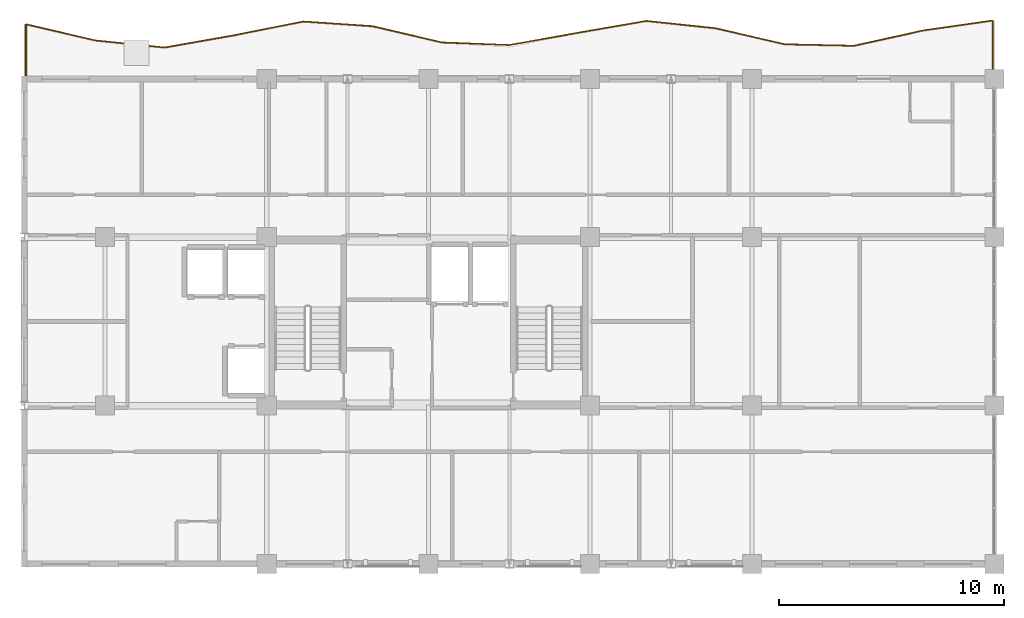
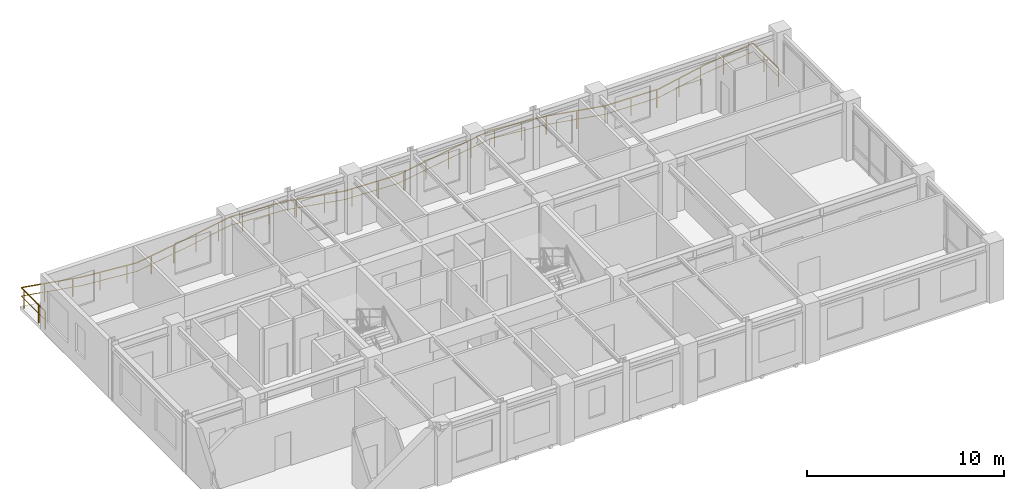
# One storey, part 11 of 11: 1 railing.
"""IFC4 building model written with IfcOpenShell, lengths in metres."""

from ifc_helpers import new_model, si_unit, direction, frame, origin, origin_2d, place, context, subcontext, project, spatial, rectangle, extrude, material, type_object, element, save


model = new_model("IFC4")

# Units and contexts
model_context = context("Model", 3, precision=1e-05, world=origin(), true_north=direction((0.0, 1.0)))
body_context = subcontext(model_context, "Body", "Model", "MODEL_VIEW")
ifc_project = project(units=[si_unit("LENGTHUNIT", "METRE"), si_unit("AREAUNIT", "SQUARE_METRE"), si_unit("VOLUMEUNIT", "CUBIC_METRE"), si_unit("PLANEANGLEUNIT", "RADIAN"), si_unit("MASSUNIT", "GRAM", prefix="KILO")], contexts=[model_context])

# Site, building, storey
site_placement = place(None, origin())
site = spatial("IfcSite", under=ifc_project, at=site_placement, CompositionType="ELEMENT")
building_placement = place(site_placement, origin())
building = spatial("IfcBuilding", under=site, at=building_placement, Name="Kaliganga Portal Commons", CompositionType="ELEMENT")
storey_placement = place(building_placement, frame((0.0, 0.0, 257.300048828125)))
storey = spatial("IfcBuildingStorey", under=building, at=storey_placement, Name="L66", CompositionType="ELEMENT", Elevation=257.300048828125)

# Railing
ifc_material = material(Name="Laminated Safety Glass and Stainless Steel 316", Category="steel")
railing_type = type_object("IfcRailingType", Name="RLG-BAL-1150", PredefinedType="BALUSTRADE", material=ifc_material)
railing_placement = place(storey_placement, frame((46.72021484375, 43.20654296875, 0.0)))
element("IfcRailing", 1, at=railing_placement, inside=storey, type_object=railing_type, Name="Balcony Guardrail L66 balc_north", PredefinedType="BALUSTRADE", context=body_context, shape_type="SweptSolid", body=[
    extrude(rectangle(XDim=0.048095703125, YDim=0.048095703125, at=origin_2d()), frame((0.0, 0.0, 1.1259765625), z_axis=(0.0, 1.0, 0.0), x_axis=(-1.0, 0.0, 0.0)), (0.0, 0.0, 1.0), 2.59033203125),
    extrude(rectangle(XDim=0.028076171875, YDim=0.028076171875, at=origin_2d()), frame((0.0, 0.0, 0.597900390625), z_axis=(0.0, 1.0, 0.0), x_axis=(-1.0, 0.0, 0.0)), (0.0, 0.0, 1.0), 2.59033203125),
    extrude(rectangle(XDim=0.048095703125, YDim=0.048095703125, at=origin_2d()), frame((0.0, 2.59033203125, 1.1259765625), z_axis=(-0.989979233773, -0.141213018868, 0.0), x_axis=(0.141213018868, -0.989979233773, 0.0)), (0.0, 0.0, 1.0), 3.1171875),
    extrude(rectangle(XDim=0.028076171875, YDim=0.028076171875, at=origin_2d()), frame((0.0, 2.59033203125, 0.597900390625), z_axis=(-0.989979233773, -0.141213018868, 0.0), x_axis=(0.141213018868, -0.989979233773, 0.0)), (0.0, 0.0, 1.0), 3.1171875),
    extrude(rectangle(XDim=0.048095703125, YDim=0.048095703125, at=origin_2d()), frame((-3.0859375, 2.150146484375, 1.1259765625), z_axis=(-0.976475232847, -0.215629588961, 0.0), x_axis=(0.215629588961, -0.976475232847, 0.0)), (0.0, 0.0, 1.0), 3.159912109375),
    extrude(rectangle(XDim=0.028076171875, YDim=0.028076171875, at=origin_2d()), frame((-3.0859375, 2.150146484375, 0.597900390625), z_axis=(-0.976475232847, -0.215629588961, 0.0), x_axis=(0.215629588961, -0.976475232847, 0.0)), (0.0, 0.0, 1.0), 3.159912109375),
    extrude(rectangle(XDim=0.048095703125, YDim=0.048095703125, at=origin_2d()), frame((-6.171630859375, 1.46875, 1.1259765625), z_axis=(-0.999771900942, 0.021357576806, 0.0), x_axis=(-0.021357576806, -0.999771900942, 0.0)), (0.0, 0.0, 1.0), 3.08642578125),
    extrude(rectangle(XDim=0.028076171875, YDim=0.028076171875, at=origin_2d()), frame((-6.171630859375, 1.46875, 0.597900390625), z_axis=(-0.999771900942, 0.021357576806, 0.0), x_axis=(-0.021357576806, -0.999771900942, 0.0)), (0.0, 0.0, 1.0), 3.08642578125),
    extrude(rectangle(XDim=0.048095703125, YDim=0.048095703125, at=origin_2d()), frame((-9.25732421875, 1.53466796875, 1.1259765625), z_axis=(-0.974216823664, 0.225613786127, 0.0), x_axis=(-0.225613786127, -0.974216823664, 0.0)), (0.0, 0.0, 1.0), 3.167236328125),
    extrude(rectangle(XDim=0.028076171875, YDim=0.028076171875, at=origin_2d()), frame((-9.25732421875, 1.53466796875, 0.597900390625), z_axis=(-0.974216823664, 0.225613786127, 0.0), x_axis=(-0.225613786127, -0.974216823664, 0.0)), (0.0, 0.0, 1.0), 3.167236328125),
    extrude(rectangle(XDim=0.048095703125, YDim=0.048095703125, at=origin_2d()), frame((-12.343017578125, 2.249267578125, 1.1259765625), z_axis=(-0.994531726725, 0.104434881805, 0.0), x_axis=(-0.104434881805, -0.994531726725, 0.0)), (0.0, 0.0, 1.0), 3.10205078125),
    extrude(rectangle(XDim=0.028076171875, YDim=0.028076171875, at=origin_2d()), frame((-12.343017578125, 2.249267578125, 0.597900390625), z_axis=(-0.994531726725, 0.104434881805, 0.0), x_axis=(-0.104434881805, -0.994531726725, 0.0)), (0.0, 0.0, 1.0), 3.10205078125),
    extrude(rectangle(XDim=0.048095703125, YDim=0.048095703125, at=origin_2d()), frame((-15.42822265625, 2.5732421875, 1.1259765625), z_axis=(-0.985254630733, -0.171094455258, 0.0), x_axis=(0.171094455258, -0.985254630733, 0.0)), (0.0, 0.0, 1.0), 3.132080078125),
    extrude(rectangle(XDim=0.028076171875, YDim=0.028076171875, at=origin_2d()), frame((-15.42822265625, 2.5732421875, 0.597900390625), z_axis=(-0.985254630733, -0.171094455258, 0.0), x_axis=(0.171094455258, -0.985254630733, 0.0)), (0.0, 0.0, 1.0), 3.132080078125),
    extrude(rectangle(XDim=0.048095703125, YDim=0.048095703125, at=origin_2d()), frame((-18.51416015625, 2.037353515625, 1.1259765625), z_axis=(-0.984299351649, -0.176507184962, 0.0), x_axis=(0.176507184962, -0.984299351649, 0.0)), (0.0, 0.0, 1.0), 3.053955078125),
    extrude(rectangle(XDim=0.028076171875, YDim=0.028076171875, at=origin_2d()), frame((-18.51416015625, 2.037353515625, 0.597900390625), z_axis=(-0.984299351649, -0.176507184962, 0.0), x_axis=(0.176507184962, -0.984299351649, 0.0)), (0.0, 0.0, 1.0), 3.053955078125),
    extrude(rectangle(XDim=0.048095703125, YDim=0.048095703125, at=origin_2d()), frame((-21.520263671875, 1.498291015625, 1.1259765625), z_axis=(-0.999218621498, 0.03952399843, 0.0), x_axis=(-0.03952399843, -0.999218621498, 0.0)), (0.0, 0.0, 1.0), 3.00830078125),
    extrude(rectangle(XDim=0.028076171875, YDim=0.028076171875, at=origin_2d()), frame((-21.520263671875, 1.498291015625, 0.597900390625), z_axis=(-0.999218621498, 0.03952399843, 0.0), x_axis=(-0.03952399843, -0.999218621498, 0.0)), (0.0, 0.0, 1.0), 3.00830078125),
    extrude(rectangle(XDim=0.048095703125, YDim=0.048095703125, at=origin_2d()), frame((-24.526123046875, 1.6171875, 1.1259765625), z_axis=(-0.973693269985, 0.227862713023, 0.0), x_axis=(-0.227862713023, -0.973693269985, 0.0)), (0.0, 0.0, 1.0), 3.16943359375),
    extrude(rectangle(XDim=0.028076171875, YDim=0.028076171875, at=origin_2d()), frame((-24.526123046875, 1.6171875, 0.597900390625), z_axis=(-0.973693269985, 0.227862713023, 0.0), x_axis=(-0.227862713023, -0.973693269985, 0.0)), (0.0, 0.0, 1.0), 3.16943359375),
    extrude(rectangle(XDim=0.048095703125, YDim=0.048095703125, at=origin_2d()), frame((-27.612060546875, 2.33935546875, 1.1259765625), z_axis=(-0.997724667728, 0.06742022996, 0.0), x_axis=(-0.06742022996, -0.997724667728, 0.0)), (0.0, 0.0, 1.0), 3.092529296875),
    extrude(rectangle(XDim=0.028076171875, YDim=0.028076171875, at=origin_2d()), frame((-27.612060546875, 2.33935546875, 0.597900390625), z_axis=(-0.997724667728, 0.06742022996, 0.0), x_axis=(-0.06742022996, -0.997724667728, 0.0)), (0.0, 0.0, 1.0), 3.092529296875),
    extrude(rectangle(XDim=0.048095703125, YDim=0.048095703125, at=origin_2d()), frame((-30.697509765625, 2.5478515625, 1.1259765625), z_axis=(-0.980800918657, -0.19501168673, 0.0), x_axis=(0.19501168673, -0.980800918657, 0.0)), (0.0, 0.0, 1.0), 3.14599609375),
    extrude(rectangle(XDim=0.028076171875, YDim=0.028076171875, at=origin_2d()), frame((-30.697509765625, 2.5478515625, 0.597900390625), z_axis=(-0.980800918657, -0.19501168673, 0.0), x_axis=(0.19501168673, -0.980800918657, 0.0)), (0.0, 0.0, 1.0), 3.14599609375),
    extrude(rectangle(XDim=0.048095703125, YDim=0.048095703125, at=origin_2d()), frame((-33.783203125, 1.934326171875, 1.1259765625), z_axis=(-0.984749027368, -0.173980898656, 0.0), x_axis=(0.173980898656, -0.984749027368, 0.0)), (0.0, 0.0, 1.0), 3.133544921875),
    extrude(rectangle(XDim=0.028076171875, YDim=0.028076171875, at=origin_2d()), frame((-33.783203125, 1.934326171875, 0.597900390625), z_axis=(-0.984749027368, -0.173980898656, 0.0), x_axis=(0.173980898656, -0.984749027368, 0.0)), (0.0, 0.0, 1.0), 3.133544921875),
    extrude(rectangle(XDim=0.048095703125, YDim=0.048095703125, at=origin_2d()), frame((-36.868896484375, 1.38916015625, 1.1259765625), z_axis=(-0.994775906675, 0.10208278748, 0.0), x_axis=(-0.10208278748, -0.994775906675, 0.0)), (0.0, 0.0, 1.0), 3.101806640625),
    extrude(rectangle(XDim=0.028076171875, YDim=0.028076171875, at=origin_2d()), frame((-36.868896484375, 1.38916015625, 0.597900390625), z_axis=(-0.994775906675, 0.10208278748, 0.0), x_axis=(-0.10208278748, -0.994775906675, 0.0)), (0.0, 0.0, 1.0), 3.101806640625),
    extrude(rectangle(XDim=0.048095703125, YDim=0.048095703125, at=origin_2d()), frame((-39.95458984375, 1.705810546875, 1.1259765625), z_axis=(-0.973842914734, 0.227222308375, 0.0), x_axis=(-0.227222308375, -0.973842914734, 0.0)), (0.0, 0.0, 1.0), 3.16845703125),
    extrude(rectangle(XDim=0.028076171875, YDim=0.028076171875, at=origin_2d()), frame((-39.95458984375, 1.705810546875, 0.597900390625), z_axis=(-0.973842914734, 0.227222308375, 0.0), x_axis=(-0.227222308375, -0.973842914734, 0.0)), (0.0, 0.0, 1.0), 3.16845703125),
    extrude(rectangle(XDim=0.048095703125, YDim=0.048095703125, at=origin_2d()), frame((-43.040283203125, 2.42578125, 1.1259765625), z_axis=(-0.000100644122, -0.999999994935, 0.0), x_axis=(0.999999994935, -0.000100644122, 0.0)), (0.0, 0.0, 1.0), 2.42578125),
    extrude(rectangle(XDim=0.028076171875, YDim=0.028076171875, at=origin_2d()), frame((-43.040283203125, 2.42578125, 0.597900390625), z_axis=(-0.000100644122, -0.999999994935, 0.0), x_axis=(0.999999994935, -0.000100644122, 0.0)), (0.0, 0.0, 1.0), 2.42578125),
    extrude(rectangle(XDim=0.0419921875, YDim=0.0419921875, at=origin_2d()), origin(), (0.0, 0.0, 1.0), 1.101806640625),
    extrude(rectangle(XDim=0.0419921875, YDim=0.0419921875, at=origin_2d()), frame((0.0, 1.5, 0.0)), (0.0, 0.0, 1.0), 1.101806640625),
    extrude(rectangle(XDim=0.0419921875, YDim=0.0419921875, at=origin_2d()), frame((-0.405517578125, 2.532470703125, 0.0)), (0.0, 0.0, 1.0), 1.101806640625),
    extrude(rectangle(XDim=0.0419921875, YDim=0.0419921875, at=origin_2d()), frame((-1.890625, 2.320556640625, 0.0)), (0.0, 0.0, 1.0), 1.101806640625),
    extrude(rectangle(XDim=0.0419921875, YDim=0.0419921875, at=origin_2d()), frame((-3.37158203125, 2.087158203125, 0.0)), (0.0, 0.0, 1.0), 1.101806640625),
    extrude(rectangle(XDim=0.0419921875, YDim=0.0419921875, at=origin_2d()), frame((-4.836181640625, 1.763671875, 0.0)), (0.0, 0.0, 1.0), 1.101806640625),
    extrude(rectangle(XDim=0.0419921875, YDim=0.0419921875, at=origin_2d()), frame((-6.303955078125, 1.4716796875, 0.0)), (0.0, 0.0, 1.0), 1.101806640625),
    extrude(rectangle(XDim=0.0419921875, YDim=0.0419921875, at=origin_2d()), frame((-7.8037109375, 1.503662109375, 0.0)), (0.0, 0.0, 1.0), 1.101806640625),
    extrude(rectangle(XDim=0.0419921875, YDim=0.0419921875, at=origin_2d()), frame((-9.30224609375, 1.545166015625, 0.0)), (0.0, 0.0, 1.0), 1.101806640625),
    extrude(rectangle(XDim=0.0419921875, YDim=0.0419921875, at=origin_2d()), frame((-10.763427734375, 1.883544921875, 0.0)), (0.0, 0.0, 1.0), 1.101806640625),
    extrude(rectangle(XDim=0.0419921875, YDim=0.0419921875, at=origin_2d()), frame((-12.343017578125, 2.249267578125, 0.0)), (0.0, 0.0, 1.0), 1.101806640625),
    extrude(rectangle(XDim=0.0419921875, YDim=0.0419921875, at=origin_2d()), frame((-13.714111328125, 2.393310546875, 0.0)), (0.0, 0.0, 1.0), 1.101806640625),
    extrude(rectangle(XDim=0.0419921875, YDim=0.0419921875, at=origin_2d()), frame((-15.2060546875, 2.5498046875, 0.0)), (0.0, 0.0, 1.0), 1.101806640625),
    extrude(rectangle(XDim=0.0419921875, YDim=0.0419921875, at=origin_2d()), frame((-16.68603515625, 2.354736328125, 0.0)), (0.0, 0.0, 1.0), 1.101806640625),
    extrude(rectangle(XDim=0.0419921875, YDim=0.0419921875, at=origin_2d()), frame((-18.163818359375, 2.09814453125, 0.0)), (0.0, 0.0, 1.0), 1.101806640625),
    extrude(rectangle(XDim=0.0419921875, YDim=0.0419921875, at=origin_2d()), frame((-19.640625, 1.83544921875, 0.0)), (0.0, 0.0, 1.0), 1.101806640625),
    extrude(rectangle(XDim=0.0419921875, YDim=0.0419921875, at=origin_2d()), frame((-21.116943359375, 1.570556640625, 0.0)), (0.0, 0.0, 1.0), 1.101806640625),
    extrude(rectangle(XDim=0.0419921875, YDim=0.0419921875, at=origin_2d()), frame((-22.60986328125, 1.54150390625, 0.0)), (0.0, 0.0, 1.0), 1.101806640625),
    extrude(rectangle(XDim=0.0419921875, YDim=0.0419921875, at=origin_2d()), frame((-24.108642578125, 1.6005859375, 0.0)), (0.0, 0.0, 1.0), 1.101806640625),
    extrude(rectangle(XDim=0.0419921875, YDim=0.0419921875, at=origin_2d()), frame((-25.579833984375, 1.86376953125, 0.0)), (0.0, 0.0, 1.0), 1.101806640625),
    extrude(rectangle(XDim=0.0419921875, YDim=0.0419921875, at=origin_2d()), frame((-27.040283203125, 2.20556640625, 0.0)), (0.0, 0.0, 1.0), 1.101806640625),
    extrude(rectangle(XDim=0.0419921875, YDim=0.0419921875, at=origin_2d()), frame((-28.522705078125, 2.40087890625, 0.0)), (0.0, 0.0, 1.0), 1.101806640625),
    extrude(rectangle(XDim=0.0419921875, YDim=0.0419921875, at=origin_2d()), frame((-30.01953125, 2.501953125, 0.0)), (0.0, 0.0, 1.0), 1.101806640625),
    extrude(rectangle(XDim=0.0419921875, YDim=0.0419921875, at=origin_2d()), frame((-31.502197265625, 2.387939453125, 0.0)), (0.0, 0.0, 1.0), 1.101806640625),
    extrude(rectangle(XDim=0.0419921875, YDim=0.0419921875, at=origin_2d()), frame((-32.973388671875, 2.095458984375, 0.0)), (0.0, 0.0, 1.0), 1.101806640625),
    extrude(rectangle(XDim=0.0419921875, YDim=0.0419921875, at=origin_2d()), frame((-34.447265625, 1.817138671875, 0.0)), (0.0, 0.0, 1.0), 1.101806640625),
    extrude(rectangle(XDim=0.0419921875, YDim=0.0419921875, at=origin_2d()), frame((-35.92431640625, 1.55615234375, 0.0)), (0.0, 0.0, 1.0), 1.101806640625),
    extrude(rectangle(XDim=0.0419921875, YDim=0.0419921875, at=origin_2d()), frame((-37.40673828125, 1.4443359375, 0.0)), (0.0, 0.0, 1.0), 1.101806640625),
    extrude(rectangle(XDim=0.0419921875, YDim=0.0419921875, at=origin_2d()), frame((-38.89892578125, 1.597412109375, 0.0)), (0.0, 0.0, 1.0), 1.101806640625),
    extrude(rectangle(XDim=0.0419921875, YDim=0.0419921875, at=origin_2d()), frame((-40.382080078125, 1.805419921875, 0.0)), (0.0, 0.0, 1.0), 1.101806640625),
    extrude(rectangle(XDim=0.0419921875, YDim=0.0419921875, at=origin_2d()), frame((-41.8427734375, 2.146484375, 0.0)), (0.0, 0.0, 1.0), 1.101806640625),
    extrude(rectangle(XDim=0.0419921875, YDim=0.0419921875, at=origin_2d()), frame((-43.040283203125, 2.155517578125, 0.0)), (0.0, 0.0, 1.0), 1.101806640625),
    extrude(rectangle(XDim=0.0419921875, YDim=0.0419921875, at=origin_2d()), frame((-43.04052734375, 0.655517578125, 0.0)), (0.0, 0.0, 1.0), 1.101806640625),
    extrude(rectangle(XDim=0.0419921875, YDim=0.0419921875, at=origin_2d()), frame((-43.04052734375, 0.0, 0.0)), (0.0, 0.0, 1.0), 1.101806640625),
])

save(model, "model.ifc")
